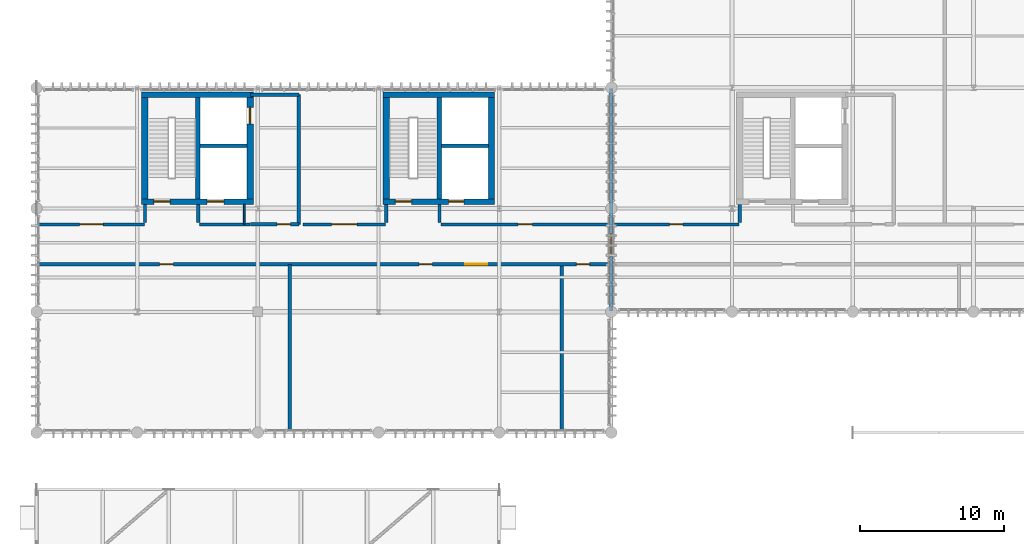
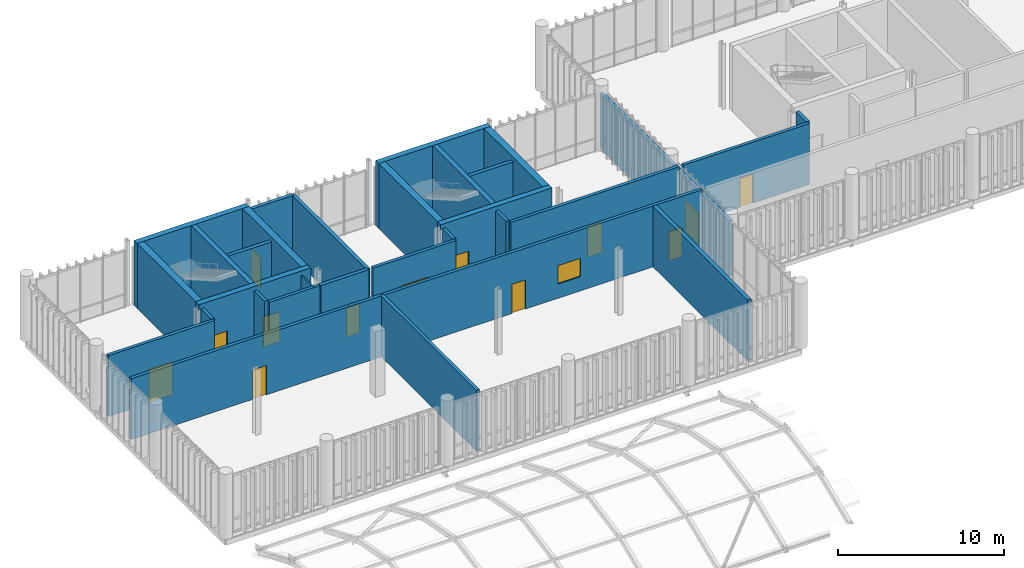
# One storey, part 78 of 94: 30 walls, 14 doors, 1 window, 15 openings.
"""IFC4 building model written with IfcOpenShell, lengths in metres."""

from ifc_helpers import new_model, si_unit, direction, frame, frame_2d, origin_with_axes, place, context, subcontext, project, spatial, rectangle, extrude, material, layer, layer_set, type_object, element, fill, save


model = new_model("IFC4")

# Units and contexts
model_context = context("Model", 3, precision=1e-05, world=origin_with_axes(), true_north=direction((0.0, 1.0)))
body_context = subcontext(model_context, "Body", "Model", "MODEL_VIEW")
ifc_project = project(units=[si_unit("LENGTHUNIT", "METRE"), si_unit("AREAUNIT", "SQUARE_METRE"), si_unit("VOLUMEUNIT", "CUBIC_METRE"), si_unit("PLANEANGLEUNIT", "RADIAN"), si_unit("MASSUNIT", "GRAM", prefix="KILO"), si_unit("THERMODYNAMICTEMPERATUREUNIT", "KELVIN")], contexts=[model_context])

# Site, building, storey
site_placement = place(None, origin_with_axes())
site = spatial("IfcSite", under=ifc_project, at=site_placement, CompositionType="ELEMENT")
building_placement = place(site_placement, origin_with_axes())
building = spatial("IfcBuilding", under=site, at=building_placement, Name="Montbau Bow Law Courts", CompositionType="ELEMENT")
storey_placement = place(building_placement, frame((0.0, 0.0, 15.6), z_axis=(0.0, 0.0, 1.0), x_axis=(1.0, 0.0, 0.0)))
storey = spatial("IfcBuildingStorey", under=building, at=storey_placement, Name="L03", CompositionType="ELEMENT", Elevation=15.6)

# Wall, opening, door
ifc_material_1 = material(Name="Concrete CSA A23.1 f'c 45 MPa", Category="concrete")
ifc_layer_1 = layer(ifc_material_1, 0.45, Name="Shear Wall", Category="concrete")
ifc_layer_set_1 = layer_set([ifc_layer_1], Name="Concrete CSA A23.1 f'c 45 MPa")
wall_type_1 = type_object("IfcWallType", Name="W-COR-02", PredefinedType="SHEAR", material=ifc_layer_set_1)
wall_1_placement = place(None, frame((21.66, 46.87, 15.6), z_axis=(0.0, 0.0, 1.0), x_axis=(0.0, 1.0, 0.0)))
wall_1 = element("IfcWall", 1, at=wall_1_placement, inside=storey, type_object=wall_type_1, Name="WC-L03-0039:wal_0106", PredefinedType="SHEAR", context=body_context, shape_type="SweptSolid", body=[
    extrude(rectangle(XDim=7.060000000000002, YDim=0.45, at=frame_2d((3.53, 0.0), x_axis=(1.0, 0.0))), origin_with_axes(), (0.0, 0.0, 1.0), 4.8),
])
opening_1_placement = place(None, frame((21.66, 52.66, 15.6), z_axis=(0.0, 0.0, 1.0), x_axis=(0.0, 1.0, 0.0)))
opening_1 = element("IfcOpeningElement", 2, at=opening_1_placement, cuts=wall_1, Name="OP-LD-L03-EL-P2", PredefinedType="OPENING", context=body_context, shape_type="SweptSolid", body=[
    extrude(rectangle(XDim=1.16, YDim=2.2, at=frame_2d((0.0, 1.1), x_axis=(1.0, 0.0))), frame((0.0, 0.235, 0.0), z_axis=(0.0, -1.0, 0.0), x_axis=(1.0, 0.0, 0.0)), (0.0, 0.0, 1.0), 0.47),
])
ifc_material_2 = material(Name="Brushed Stainless Steel Elevator Landing Door", Category="steel")
door_type_1 = type_object("IfcDoorType", Name="LD-PUB-01", OperationType="NOTDEFINED", ParameterTakesPrecedence=False, PredefinedType="DOOR", material=ifc_material_2)
door_1_placement = place(None, frame((21.66, 52.66, 15.6), z_axis=(0.0, 0.0, 1.0), x_axis=(0.0, 1.0, 0.0)))
door_1 = element("IfcDoor", 3, at=door_1_placement, inside=storey, type_object=door_type_1, Name="LD-L03-EL-P2:dor_0055", OperationType="SLIDING_TO_LEFT", OverallHeight=2.2, OverallWidth=1.16, PredefinedType="DOOR", context=body_context, shape_type="SweptSolid", body=[
    extrude(rectangle(XDim=1.16, YDim=2.2, at=frame_2d((0.0, 1.1), x_axis=(1.0, 0.0))), frame((0.0, 0.04, 0.0), z_axis=(0.0, -1.0, 0.0), x_axis=(1.0, 0.0, 0.0)), (0.0, 0.0, 1.0), 0.08),
])
fill(opening_1, door_1)

# Walls
for number, where, z_axis, x_axis, name in (
    (4, (14.34, 53.93, 15.6), (0.0, 0.0, 1.0), (0.0, -1.0, 0.0), "WC-L03-0040:wal_0107"),
    (5, (38.46, 46.87, 15.6), (0.0, 0.0, 1.0), (0.0, 1.0, 0.0), "WC-L03-0108:wal_0175"),
    (6, (31.14, 53.93, 15.6), (0.0, 0.0, 1.0), (0.0, -1.0, 0.0), "WC-L03-0109:wal_0176"),
):
    element("IfcWall", number, at=place(None, frame(where, z_axis=z_axis, x_axis=x_axis)), inside=storey, type_object=wall_type_1, Name=name, PredefinedType="SHEAR", context=body_context, shape_type="SweptSolid", body=[
        extrude(rectangle(XDim=7.060000000000002, YDim=0.45, at=frame_2d((3.53, 0.0), x_axis=(1.0, 0.0))), origin_with_axes(), (0.0, 0.0, 1.0), 4.8),
    ])

# Wall, openings, doors
ifc_layer_2 = layer(ifc_material_1, 0.38, Name="Shear Wall", Category="concrete")
ifc_layer_set_2 = layer_set([ifc_layer_2], Name="Concrete CSA A23.1 f'c 45 MPa")
wall_type_2 = type_object("IfcWallType", Name="W-COR-04", PredefinedType="SHEAR", material=ifc_layer_set_2)
wall_2_placement = place(None, frame((14.115, 46.68, 15.6), z_axis=(0.0, 0.0, 1.0), x_axis=(1.0, 0.0, 0.0)))
wall_2 = element("IfcWall", 7, at=wall_2_placement, inside=storey, type_object=wall_type_2, Name="WC-L03-0037:wal_0104", PredefinedType="SHEAR", context=body_context, shape_type="SweptSolid", body=[
    extrude(rectangle(XDim=7.770000000000001, YDim=0.38, at=frame_2d((3.885, 0.0), x_axis=(1.0, 0.0))), origin_with_axes(), (0.0, 0.0, 1.0), 4.8),
])
opening_2_placement = place(None, frame((15.535, 46.68, 15.6), z_axis=(0.0, 0.0, 1.0), x_axis=(1.0, 0.0, 0.0)))
opening_2 = element("IfcOpeningElement", 8, at=opening_2_placement, cuts=wall_2, Name="OP-D-L03-ST-P1", PredefinedType="OPENING", context=body_context, shape_type="SweptSolid", body=[
    extrude(rectangle(XDim=1.14, YDim=2.18, at=frame_2d((0.0, 1.09), x_axis=(1.0, 0.0))), frame((0.0, 0.2, 0.0), z_axis=(0.0, -1.0, 0.0), x_axis=(1.0, 0.0, 0.0)), (0.0, 0.0, 1.0), 0.4),
])
opening_3_placement = place(None, frame((19.25, 46.68, 15.6), z_axis=(0.0, 0.0, 1.0), x_axis=(1.0, 0.0, 0.0)))
opening_3 = element("IfcOpeningElement", 9, at=opening_3_placement, cuts=wall_2, Name="OP-LD-L03-EL-P1", PredefinedType="OPENING", context=body_context, shape_type="SweptSolid", body=[
    extrude(rectangle(XDim=1.16, YDim=2.2, at=frame_2d((0.0, 1.1), x_axis=(1.0, 0.0))), frame((0.0, 0.2, 0.0), z_axis=(0.0, -1.0, 0.0), x_axis=(1.0, 0.0, 0.0)), (0.0, 0.0, 1.0), 0.4),
])
ifc_material_3 = material(Name="1.5 h Fire-Rated Hollow-Metal Exit Stair Door", Category="steel")
door_type_2 = type_object("IfcDoorType", Name="D-ST-01", OperationType="NOTDEFINED", ParameterTakesPrecedence=False, PredefinedType="DOOR", material=ifc_material_3)
door_2_placement = place(None, frame((15.535, 46.68, 15.6), z_axis=(0.0, 0.0, 1.0), x_axis=(-1.0, 0.0, 0.0)))
door_2 = element("IfcDoor", 10, at=door_2_placement, inside=storey, type_object=door_type_2, Name="D-L03-ST-P1:dor_0053", OperationType="SINGLE_SWING_RIGHT", OverallHeight=2.18, OverallWidth=1.14, PredefinedType="DOOR", context=body_context, shape_type="SweptSolid", body=[
    extrude(rectangle(XDim=1.14, YDim=2.18, at=frame_2d((0.0, 1.09), x_axis=(1.0, 0.0))), frame((0.0, 0.04, 0.0), z_axis=(0.0, -1.0, 0.0), x_axis=(1.0, 0.0, 0.0)), (0.0, 0.0, 1.0), 0.08),
])
fill(opening_2, door_2)
door_3_placement = place(None, frame((19.25, 46.68, 15.6), z_axis=(0.0, 0.0, 1.0), x_axis=(-1.0, 0.0, 0.0)))
door_3 = element("IfcDoor", 11, at=door_3_placement, inside=storey, type_object=door_type_1, Name="LD-L03-EL-P1:dor_0054", OperationType="SLIDING_TO_LEFT", OverallHeight=2.2, OverallWidth=1.16, PredefinedType="DOOR", context=body_context, shape_type="SweptSolid", body=[
    extrude(rectangle(XDim=1.16, YDim=2.2, at=frame_2d((0.0, 1.1), x_axis=(1.0, 0.0))), frame((0.0, 0.04, 0.0), z_axis=(0.0, -1.0, 0.0), x_axis=(1.0, 0.0, 0.0)), (0.0, 0.0, 1.0), 0.08),
])
fill(opening_3, door_3)

# Wall
wall_3_placement = place(None, frame((21.885, 54.12, 15.6), z_axis=(0.0, 0.0, 1.0), x_axis=(-1.0, 0.0, 0.0)))
element("IfcWall", 12, at=wall_3_placement, inside=storey, type_object=wall_type_2, Name="WC-L03-0038:wal_0105", PredefinedType="SHEAR", context=body_context, shape_type="SweptSolid", body=[
    extrude(rectangle(XDim=7.770000000000001, YDim=0.38, at=frame_2d((3.885, 0.0), x_axis=(1.0, 0.0))), origin_with_axes(), (0.0, 0.0, 1.0), 4.8),
])

# Wall, openings, doors
wall_4_placement = place(None, frame((30.915, 46.68, 15.6), z_axis=(0.0, 0.0, 1.0), x_axis=(1.0, 0.0, 0.0)))
wall_4 = element("IfcWall", 13, at=wall_4_placement, inside=storey, type_object=wall_type_2, Name="WC-L03-0106:wal_0173", PredefinedType="SHEAR", context=body_context, shape_type="SweptSolid", body=[
    extrude(rectangle(XDim=7.770000000000003, YDim=0.38, at=frame_2d((3.885, 0.0), x_axis=(1.0, 0.0))), origin_with_axes(), (0.0, 0.0, 1.0), 4.8),
])
opening_4_placement = place(None, frame((32.335, 46.68, 15.6), z_axis=(0.0, 0.0, 1.0), x_axis=(1.0, 0.0, 0.0)))
opening_4 = element("IfcOpeningElement", 14, at=opening_4_placement, cuts=wall_4, Name="OP-D-L03-ST-J1", PredefinedType="OPENING", context=body_context, shape_type="SweptSolid", body=[
    extrude(rectangle(XDim=1.14, YDim=2.18, at=frame_2d((0.0, 1.09), x_axis=(1.0, 0.0))), frame((0.0, 0.2, 0.0), z_axis=(0.0, -1.0, 0.0), x_axis=(1.0, 0.0, 0.0)), (0.0, 0.0, 1.0), 0.4),
])
opening_5_placement = place(None, frame((36.0, 46.68, 15.6), z_axis=(0.0, 0.0, 1.0), x_axis=(1.0, 0.0, 0.0)))
opening_5 = element("IfcOpeningElement", 15, at=opening_5_placement, cuts=wall_4, Name="OP-LD-L03-EL-J1", PredefinedType="OPENING", context=body_context, shape_type="SweptSolid", body=[
    extrude(rectangle(XDim=1.06, YDim=2.16, at=frame_2d((0.0, 1.08), x_axis=(1.0, 0.0))), frame((0.0, 0.2, 0.0), z_axis=(0.0, -1.0, 0.0), x_axis=(1.0, 0.0, 0.0)), (0.0, 0.0, 1.0), 0.4),
])
door_4_placement = place(None, frame((32.335, 46.68, 15.6), z_axis=(0.0, 0.0, 1.0), x_axis=(-1.0, 0.0, 0.0)))
door_4 = element("IfcDoor", 16, at=door_4_placement, inside=storey, type_object=door_type_2, Name="D-L03-ST-J1:dor_0081", OperationType="SINGLE_SWING_LEFT", OverallHeight=2.18, OverallWidth=1.14, PredefinedType="DOOR", context=body_context, shape_type="SweptSolid", body=[
    extrude(rectangle(XDim=1.14, YDim=2.18, at=frame_2d((0.0, 1.09), x_axis=(1.0, 0.0))), frame((0.0, 0.04, 0.0), z_axis=(0.0, -1.0, 0.0), x_axis=(1.0, 0.0, 0.0)), (0.0, 0.0, 1.0), 0.08),
])
fill(opening_4, door_4)
ifc_material_4 = material(Name="Bronze-Clad Judicial Elevator Landing Door", Category="steel")
door_type_3 = type_object("IfcDoorType", Name="LD-JUD-01", OperationType="NOTDEFINED", ParameterTakesPrecedence=False, PredefinedType="DOOR", material=ifc_material_4)
door_5_placement = place(None, frame((36.0, 46.68, 15.6), z_axis=(0.0, 0.0, 1.0), x_axis=(-1.0, 0.0, 0.0)))
door_5 = element("IfcDoor", 17, at=door_5_placement, inside=storey, type_object=door_type_3, Name="LD-L03-EL-J1:dor_0082", OperationType="SLIDING_TO_LEFT", OverallHeight=2.16, OverallWidth=1.06, PredefinedType="DOOR", context=body_context, shape_type="SweptSolid", body=[
    extrude(rectangle(XDim=1.06, YDim=2.16, at=frame_2d((0.0, 1.08), x_axis=(1.0, 0.0))), frame((0.0, 0.04, 0.0), z_axis=(0.0, -1.0, 0.0), x_axis=(1.0, 0.0, 0.0)), (0.0, 0.0, 1.0), 0.08),
])
fill(opening_5, door_5)

# Walls
wall_5_placement = place(None, frame((38.685, 54.12, 15.6), z_axis=(0.0, 0.0, 1.0), x_axis=(-1.0, 0.0, 0.0)))
element("IfcWall", 18, at=wall_5_placement, inside=storey, type_object=wall_type_2, Name="WC-L03-0107:wal_0174", PredefinedType="SHEAR", context=body_context, shape_type="SweptSolid", body=[
    extrude(rectangle(XDim=7.770000000000003, YDim=0.38, at=frame_2d((3.885, 0.0), x_axis=(1.0, 0.0))), origin_with_axes(), (0.0, 0.0, 1.0), 4.8),
])
ifc_layer_3 = layer(ifc_material_1, 0.32, Name="Shear Wall", Category="concrete")
ifc_layer_set_3 = layer_set([ifc_layer_3], Name="Concrete CSA A23.1 f'c 45 MPa")
wall_type_3 = type_object("IfcWallType", Name="W-COR-05", PredefinedType="SHEAR", material=ifc_layer_set_3)
for number, where, z_axis, x_axis, name in (
    (19, (18.02, 46.87, 15.6), (0.0, 0.0, 1.0), (0.0, 1.0, 0.0), "WS-L03-0041:wal_0108"),
    (20, (34.82, 46.87, 15.6), (0.0, 0.0, 1.0), (0.0, 1.0, 0.0), "WS-L03-0110:wal_0177"),
):
    element("IfcWall", number, at=place(None, frame(where, z_axis=z_axis, x_axis=x_axis)), inside=storey, type_object=wall_type_3, Name=name, PredefinedType="SHEAR", context=body_context, shape_type="SweptSolid", body=[
        extrude(rectangle(XDim=7.060000000000002, YDim=0.32, at=frame_2d((3.53, 0.0), x_axis=(1.0, 0.0))), origin_with_axes(), (0.0, 0.0, 1.0), 4.8),
    ])
ifc_material_5 = material(Name="Double-Stud Acoustic Plumbing Chase Gypsum Assembly", Category="gypsum")
ifc_layer_4 = layer(ifc_material_5, 0.26, Name="Plumbing Wall", Category="gypsum")
ifc_layer_set_4 = layer_set([ifc_layer_4], Name="Double-Stud Acoustic Plumbing Chase Gypsum Assembly")
wall_type_4 = type_object("IfcWallType", Name="W-PLM-01", PredefinedType="PLUMBINGWALL", material=ifc_layer_set_4)
wall_6_placement = place(None, frame((43.34, 30.78, 15.6), z_axis=(0.0, 0.0, 1.0), x_axis=(0.0, 1.0, 0.0)))
element("IfcWall", 21, at=wall_6_placement, inside=storey, type_object=wall_type_4, Name="WD-L03-0782:wal_0849", PredefinedType="PLUMBINGWALL", context=body_context, shape_type="SweptSolid", body=[
    extrude(rectangle(XDim=11.43, YDim=0.26, at=frame_2d((5.715, 0.0), x_axis=(1.0, 0.0))), origin_with_axes(), (0.0, 0.0, 1.0), 4.48),
])
ifc_material_6 = material(Name="2 h Shaft and Exit-Passage Fire Separation Partition", Category="gypsum")
ifc_layer_5 = layer(ifc_material_6, 0.25, Name="Partition", Category="gypsum")
ifc_layer_set_5 = layer_set([ifc_layer_5], Name="2 h Shaft and Exit-Passage Fire Separation Partition")
wall_type_5 = type_object("IfcWallType", Name="W-PRT-01", PredefinedType="PARTITIONING", material=ifc_layer_set_5)
wall_7_placement = place(None, frame((18.18, 50.549, 15.6), z_axis=(0.0, 0.0, 1.0), x_axis=(1.0, 0.0, 0.0)))
element("IfcWall", 22, at=wall_7_placement, inside=storey, type_object=wall_type_5, Name="WS-L03-0042:wal_0109", PredefinedType="PARTITIONING", context=body_context, shape_type="SweptSolid", body=[
    extrude(rectangle(XDim=3.254999999999999, YDim=0.25, at=frame_2d((1.6275, 0.0), x_axis=(1.0, 0.0))), origin_with_axes(), (0.0, 0.0, 1.0), 4.48),
])
wall_8_placement = place(None, frame((25.06, 45.09, 15.6), z_axis=(0.0, 0.0, 1.0), x_axis=(0.0, 1.0, 0.0)))
element("IfcWall", 23, at=wall_8_placement, inside=storey, type_object=wall_type_5, Name="WEL-L03-0043:wal_0110", PredefinedType="PARTITIONING", context=body_context, shape_type="SweptSolid", body=[
    extrude(rectangle(XDim=9.029999999999994, YDim=0.25, at=frame_2d((4.515, 0.0), x_axis=(1.0, 0.0))), origin_with_axes(), (0.0, 0.0, 1.0), 4.48),
])
wall_9_placement = place(None, frame((21.7, 54.12, 15.6), z_axis=(0.0, 0.0, 1.0), x_axis=(1.0, 0.0, 0.0)))
element("IfcWall", 24, at=wall_9_placement, inside=storey, type_object=wall_type_5, Name="WEL-L03-0044:wal_0111", PredefinedType="PARTITIONING", context=body_context, shape_type="SweptSolid", body=[
    extrude(rectangle(XDim=3.3599999999999994, YDim=0.25, at=frame_2d((1.68, 0.0), x_axis=(1.0, 0.0))), origin_with_axes(), (0.0, 0.0, 1.0), 4.48),
])

# Wall, opening, door
wall_10_placement = place(None, frame((21.7, 45.09, 15.6), z_axis=(0.0, 0.0, 1.0), x_axis=(1.0, 0.0, 0.0)))
wall_10 = element("IfcWall", 25, at=wall_10_placement, inside=storey, type_object=wall_type_5, Name="WEL-L03-0045:wal_0112", PredefinedType="PARTITIONING", context=body_context, shape_type="SweptSolid", body=[
    extrude(rectangle(XDim=3.3599999999999994, YDim=0.25, at=frame_2d((1.68, 0.0), x_axis=(1.0, 0.0))), origin_with_axes(), (0.0, 0.0, 1.0), 4.48),
])
opening_6_placement = place(None, frame((24.005, 45.09, 15.6), z_axis=(0.0, 0.0, 1.0), x_axis=(1.0, 0.0, 0.0)))
opening_6 = element("IfcOpeningElement", 26, at=opening_6_placement, cuts=wall_10, Name="OP-D-L03-ELB-CORE-W1", PredefinedType="OPENING", context=body_context, shape_type="SweptSolid", body=[
    extrude(rectangle(XDim=0.91, YDim=2.12, at=frame_2d((0.0, 1.06), x_axis=(1.0, 0.0))), frame((0.0, 0.135, 0.0), z_axis=(0.0, -1.0, 0.0), x_axis=(1.0, 0.0, 0.0)), (0.0, 0.0, 1.0), 0.27),
])
ifc_material_7 = material(Name="Public and Judicial Washroom Solid-Core Door", Category="wood")
door_type_4 = type_object("IfcDoorType", Name="D-WC-02", OperationType="NOTDEFINED", ParameterTakesPrecedence=False, PredefinedType="DOOR", material=ifc_material_7)
door_6_placement = place(None, frame((24.005, 45.09, 15.6), z_axis=(0.0, 0.0, 1.0), x_axis=(1.0, 0.0, 0.0)))
door_6 = element("IfcDoor", 27, at=door_6_placement, inside=storey, type_object=door_type_4, Name="D-L03-ELB-CORE-W1:dor_0056", OperationType="SINGLE_SWING_LEFT", OverallHeight=2.12, OverallWidth=0.91, PredefinedType="DOOR", context=body_context, shape_type="SweptSolid", body=[
    extrude(rectangle(XDim=0.91, YDim=2.12, at=frame_2d((0.0, 1.06), x_axis=(1.0, 0.0))), frame((0.0, 0.04, 0.0), z_axis=(0.0, -1.0, 0.0), x_axis=(1.0, 0.0, 0.0)), (0.0, 0.0, 1.0), 0.08),
])
fill(opening_6, door_6)

# Wall
wall_11_placement = place(None, frame((34.98, 50.549, 15.6), z_axis=(0.0, 0.0, 1.0), x_axis=(1.0, 0.0, 0.0)))
element("IfcWall", 28, at=wall_11_placement, inside=storey, type_object=wall_type_5, Name="WS-L03-0111:wal_0178", PredefinedType="PARTITIONING", context=body_context, shape_type="SweptSolid", body=[
    extrude(rectangle(XDim=3.2550000000000026, YDim=0.25, at=frame_2d((1.6275, 0.0), x_axis=(1.0, 0.0))), origin_with_axes(), (0.0, 0.0, 1.0), 4.48),
])

# Wall, opening, door
wall_12_placement = place(None, frame((46.8, 39.05, 15.6), z_axis=(0.0, 0.0, 1.0), x_axis=(0.0, 1.0, 0.0)))
wall_12 = element("IfcWall", 29, at=wall_12_placement, inside=storey, type_object=wall_type_5, Name="WLK-L03-0560:wal_0627", PredefinedType="PARTITIONING", context=body_context, shape_type="SweptSolid", body=[
    extrude(rectangle(XDim=15.5, YDim=0.25, at=frame_2d((7.75, 0.0), x_axis=(1.0, 0.0))), origin_with_axes(), (0.0, 0.0, 1.0), 4.084),
])
opening_7_placement = place(None, frame((46.8, 43.65, 15.6), z_axis=(0.0, 0.0, 1.0), x_axis=(0.0, 1.0, 0.0)))
opening_7 = element("IfcOpeningElement", 30, at=opening_7_placement, cuts=wall_12, Name="OP-D-LNK-209", PredefinedType="OPENING", context=body_context, shape_type="SweptSolid", body=[
    extrude(rectangle(XDim=1.6, YDim=2.32, at=frame_2d((0.0, 1.16), x_axis=(1.0, 0.0))), frame((0.0, 0.135, 0.0), z_axis=(0.0, -1.0, 0.0), x_axis=(1.0, 0.0, 0.0)), (0.0, 0.0, 1.0), 0.27),
])
ifc_material_8 = material(Name="Jury Assembly Lounge Glazed Oak Double Door", Category="wood")
door_type_5 = type_object("IfcDoorType", Name="D-JUR-02", OperationType="NOTDEFINED", ParameterTakesPrecedence=False, PredefinedType="DOOR", material=ifc_material_8)
door_7_placement = place(None, frame((46.8, 43.65, 15.6), z_axis=(0.0, 0.0, 1.0), x_axis=(0.0, 1.0, 0.0)))
door_7 = element("IfcDoor", 31, at=door_7_placement, inside=storey, type_object=door_type_5, Name="D-LNK-209:dor_0243", OperationType="DOUBLE_DOOR_SINGLE_SWING", OverallHeight=2.32, OverallWidth=1.6, PredefinedType="DOOR", context=body_context, shape_type="SweptSolid", body=[
    extrude(rectangle(XDim=1.6, YDim=2.32, at=frame_2d((0.0, 1.16), x_axis=(1.0, 0.0))), frame((0.0, 0.04, 0.0), z_axis=(0.0, -1.0, 0.0), x_axis=(1.0, 0.0, 0.0)), (0.0, 0.0, 1.0), 0.08),
])
fill(opening_7, door_7)

# Walls
ifc_material_9 = material(Name="STC-60 High-Acoustic Courtroom Perimeter Partition", Category="gypsum")
ifc_layer_6 = layer(ifc_material_9, 0.22, Name="Partition", Category="gypsum")
ifc_layer_set_6 = layer_set([ifc_layer_6], Name="STC-60 High-Acoustic Courtroom Perimeter Partition")
wall_type_6 = type_object("IfcWallType", Name="W-PRT-02", PredefinedType="PARTITIONING", material=ifc_layer_set_6)
for number, where, z_axis, x_axis, name in (
    (32, (14.34, 45.22, 15.6), (0.0, 0.0, 1.0), (0.0, 1.0, 0.0), "WCX-L03-0773:wal_0840"),
    (33, (18.05, 45.22, 15.6), (0.0, 0.0, 1.0), (0.0, 1.0, 0.0), "WCX-L03-0774:wal_0841"),
    (34, (31.14, 45.22, 15.6), (0.0, 0.0, 1.0), (0.0, 1.0, 0.0), "WCX-L03-0775:wal_0842"),
    (35, (34.85, 45.22, 15.6), (0.0, 0.0, 1.0), (0.0, 1.0, 0.0), "WCX-L03-0776:wal_0843"),
):
    element("IfcWall", number, at=place(None, frame(where, z_axis=z_axis, x_axis=x_axis)), inside=storey, type_object=wall_type_6, Name=name, PredefinedType="PARTITIONING", context=body_context, shape_type="SweptSolid", body=[
        extrude(rectangle(XDim=1.259999999999998, YDim=0.22, at=frame_2d((0.63, 0.0), x_axis=(1.0, 0.0))), origin_with_axes(), (0.0, 0.0, 1.0), 4.48),
    ])

# Wall, opening, door
wall_13_placement = place(None, frame((6.94, 45.09, 15.6), z_axis=(0.0, 0.0, 1.0), x_axis=(1.0, 0.0, 0.0)))
wall_13 = element("IfcWall", 36, at=wall_13_placement, inside=storey, type_object=wall_type_6, Name="WP-L03-0777:wal_0844", PredefinedType="PARTITIONING", context=body_context, shape_type="SweptSolid", body=[
    extrude(rectangle(XDim=7.36, YDim=0.22, at=frame_2d((3.68, 0.0), x_axis=(1.0, 0.0))), origin_with_axes(), (0.0, 0.0, 1.0), 4.48),
])
opening_8_placement = place(None, frame((10.62, 45.09, 15.6), z_axis=(0.0, 0.0, 1.0), x_axis=(1.0, 0.0, 0.0)))
opening_8 = element("IfcOpeningElement", 37, at=opening_8_placement, cuts=wall_13, Name="OP-D-L03-321", PredefinedType="OPENING", context=body_context, shape_type="SweptSolid", body=[
    extrude(rectangle(XDim=1.64, YDim=2.42, at=frame_2d((0.0, 1.21), x_axis=(1.0, 0.0))), frame((0.0, 0.12, 0.0), z_axis=(0.0, -1.0, 0.0), x_axis=(1.0, 0.0, 0.0)), (0.0, 0.0, 1.0), 0.24),
])
ifc_material_10 = material(Name="Acoustic White-Oak Civil and Family Hearing Double Door", Category="wood")
door_type_6 = type_object("IfcDoorType", Name="D-CRT-04", OperationType="NOTDEFINED", ParameterTakesPrecedence=False, PredefinedType="DOOR", material=ifc_material_10)
door_8_placement = place(None, frame((10.62, 45.09, 15.6), z_axis=(0.0, 0.0, 1.0), x_axis=(-1.0, 0.0, 0.0)))
door_8 = element("IfcDoor", 38, at=door_8_placement, inside=storey, type_object=door_type_6, Name="D-L03-321:dor_0356", OperationType="DOUBLE_DOOR_SINGLE_SWING", OverallHeight=2.42, OverallWidth=1.64, PredefinedType="DOOR", context=body_context, shape_type="SweptSolid", body=[
    extrude(rectangle(XDim=1.64, YDim=2.42, at=frame_2d((0.0, 1.21), x_axis=(1.0, 0.0))), frame((0.0, 0.04, 0.0), z_axis=(0.0, -1.0, 0.0), x_axis=(1.0, 0.0, 0.0)), (0.0, 0.0, 1.0), 0.08),
])
fill(opening_8, door_8)

# Wall
wall_14_placement = place(None, frame((18.15, 45.09, 15.6), z_axis=(0.0, 0.0, 1.0), x_axis=(1.0, 0.0, 0.0)))
element("IfcWall", 39, at=wall_14_placement, inside=storey, type_object=wall_type_6, Name="WP-L03-0778:wal_0845", PredefinedType="PARTITIONING", context=body_context, shape_type="SweptSolid", body=[
    extrude(rectangle(XDim=3.5100000000000016, YDim=0.22, at=frame_2d((1.755, 0.0), x_axis=(1.0, 0.0))), origin_with_axes(), (0.0, 0.0, 1.0), 4.48),
])

# Wall, opening, door
wall_15_placement = place(None, frame((25.355, 45.09, 15.6), z_axis=(0.0, 0.0, 1.0), x_axis=(1.0, 0.0, 0.0)))
wall_15 = element("IfcWall", 40, at=wall_15_placement, inside=storey, type_object=wall_type_6, Name="WP-L03-0779:wal_0846", PredefinedType="PARTITIONING", context=body_context, shape_type="SweptSolid", body=[
    extrude(rectangle(XDim=5.745000000000001, YDim=0.22, at=frame_2d((2.8725, 0.0), x_axis=(1.0, 0.0))), origin_with_axes(), (0.0, 0.0, 1.0), 4.48),
])
opening_9_placement = place(None, frame((28.227, 45.09, 15.6), z_axis=(0.0, 0.0, 1.0), x_axis=(1.0, 0.0, 0.0)))
opening_9 = element("IfcOpeningElement", 41, at=opening_9_placement, cuts=wall_15, Name="OP-D-L03-322", PredefinedType="OPENING", context=body_context, shape_type="SweptSolid", body=[
    extrude(rectangle(XDim=1.78, YDim=2.48, at=frame_2d((0.0, 1.24), x_axis=(1.0, 0.0))), frame((0.0, 0.12, 0.0), z_axis=(0.0, -1.0, 0.0), x_axis=(1.0, 0.0, 0.0)), (0.0, 0.0, 1.0), 0.24),
])
ifc_material_11 = material(Name="Acoustic White-Oak Appellate Courtroom Double Door", Category="wood")
door_type_7 = type_object("IfcDoorType", Name="D-CRT-03", OperationType="NOTDEFINED", ParameterTakesPrecedence=False, PredefinedType="DOOR", material=ifc_material_11)
door_9_placement = place(None, frame((28.227, 45.09, 15.6), z_axis=(0.0, 0.0, 1.0), x_axis=(-1.0, 0.0, 0.0)))
door_9 = element("IfcDoor", 42, at=door_9_placement, inside=storey, type_object=door_type_7, Name="D-L03-322:dor_0357", OperationType="DOUBLE_DOOR_SINGLE_SWING", OverallHeight=2.48, OverallWidth=1.78, PredefinedType="DOOR", context=body_context, shape_type="SweptSolid", body=[
    extrude(rectangle(XDim=1.78, YDim=2.48, at=frame_2d((0.0, 1.24), x_axis=(1.0, 0.0))), frame((0.0, 0.04, 0.0), z_axis=(0.0, -1.0, 0.0), x_axis=(1.0, 0.0, 0.0)), (0.0, 0.0, 1.0), 0.08),
])
fill(opening_9, door_9)

wall_16_placement = place(None, frame((34.95, 45.09, 15.6), z_axis=(0.0, 0.0, 1.0), x_axis=(1.0, 0.0, 0.0)))
wall_16 = element("IfcWall", 43, at=wall_16_placement, inside=storey, type_object=wall_type_6, Name="WP-L03-0780:wal_0847", PredefinedType="PARTITIONING", context=body_context, shape_type="SweptSolid", body=[
    extrude(rectangle(XDim=11.709999999999994, YDim=0.22, at=frame_2d((5.855, 0.0), x_axis=(1.0, 0.0))), origin_with_axes(), (0.0, 0.0, 1.0), 4.48),
])
opening_10_placement = place(None, frame((40.805, 45.09, 15.6), z_axis=(0.0, 0.0, 1.0), x_axis=(1.0, 0.0, 0.0)))
opening_10 = element("IfcOpeningElement", 44, at=opening_10_placement, cuts=wall_16, Name="OP-D-L03-323", PredefinedType="OPENING", context=body_context, shape_type="SweptSolid", body=[
    extrude(rectangle(XDim=0.99, YDim=2.22, at=frame_2d((0.0, 1.11), x_axis=(1.0, 0.0))), frame((0.0, 0.12, 0.0), z_axis=(0.0, -1.0, 0.0), x_axis=(1.0, 0.0, 0.0)), (0.0, 0.0, 1.0), 0.24),
])
ifc_material_12 = material(Name="STC-52 Jury Deliberation Suite Solid-Core Oak Door", Category="wood")
door_type_8 = type_object("IfcDoorType", Name="D-JUR-01", OperationType="NOTDEFINED", ParameterTakesPrecedence=False, PredefinedType="DOOR", material=ifc_material_12)
door_10_placement = place(None, frame((40.805, 45.09, 15.6), z_axis=(0.0, 0.0, 1.0), x_axis=(-1.0, 0.0, 0.0)))
door_10 = element("IfcDoor", 45, at=door_10_placement, inside=storey, type_object=door_type_8, Name="D-L03-323:dor_0358", OperationType="SINGLE_SWING_LEFT", OverallHeight=2.22, OverallWidth=0.99, PredefinedType="DOOR", context=body_context, shape_type="SweptSolid", body=[
    extrude(rectangle(XDim=0.99, YDim=2.22, at=frame_2d((0.0, 1.11), x_axis=(1.0, 0.0))), frame((0.0, 0.04, 0.0), z_axis=(0.0, -1.0, 0.0), x_axis=(1.0, 0.0, 0.0)), (0.0, 0.0, 1.0), 0.08),
])
fill(opening_10, door_10)

# Wall, openings, doors, window
wall_17_placement = place(None, frame((6.94, 42.31, 15.6), z_axis=(0.0, 0.0, 1.0), x_axis=(1.0, 0.0, 0.0)))
wall_17 = element("IfcWall", 46, at=wall_17_placement, inside=storey, type_object=wall_type_6, Name="WP-L03-0781:wal_0848", PredefinedType="PARTITIONING", context=body_context, shape_type="SweptSolid", body=[
    extrude(rectangle(XDim=39.704, YDim=0.22, at=frame_2d((19.852, 0.0), x_axis=(1.0, 0.0))), origin_with_axes(), (0.0, 0.0, 1.0), 4.48),
])
opening_11_placement = place(None, frame((15.845, 42.31, 15.6), z_axis=(0.0, 0.0, 1.0), x_axis=(1.0, 0.0, 0.0)))
opening_11 = element("IfcOpeningElement", 47, at=opening_11_placement, cuts=wall_17, Name="OP-D-L03-324", PredefinedType="OPENING", context=body_context, shape_type="SweptSolid", body=[
    extrude(rectangle(XDim=0.95, YDim=2.16, at=frame_2d((0.0, 1.08), x_axis=(1.0, 0.0))), frame((0.0, 0.12, 0.0), z_axis=(0.0, -1.0, 0.0), x_axis=(1.0, 0.0, 0.0)), (0.0, 0.0, 1.0), 0.24),
])
opening_12_placement = place(None, frame((33.883, 42.31, 15.6), z_axis=(0.0, 0.0, 1.0), x_axis=(1.0, 0.0, 0.0)))
opening_12 = element("IfcOpeningElement", 48, at=opening_12_placement, cuts=wall_17, Name="OP-D-L03-325", PredefinedType="OPENING", context=body_context, shape_type="SweptSolid", body=[
    extrude(rectangle(XDim=0.92, YDim=2.14, at=frame_2d((0.0, 1.07), x_axis=(1.0, 0.0))), frame((0.0, 0.12, 0.0), z_axis=(0.0, -1.0, 0.0), x_axis=(1.0, 0.0, 0.0)), (0.0, 0.0, 1.0), 0.24),
])
opening_13_placement = place(None, frame((44.83, 42.31, 15.6), z_axis=(0.0, 0.0, 1.0), x_axis=(1.0, 0.0, 0.0)))
opening_13 = element("IfcOpeningElement", 49, at=opening_13_placement, cuts=wall_17, Name="OP-D-L03-326", PredefinedType="OPENING", context=body_context, shape_type="SweptSolid", body=[
    extrude(rectangle(XDim=0.91, YDim=2.12, at=frame_2d((0.0, 1.06), x_axis=(1.0, 0.0))), frame((0.0, 0.12, 0.0), z_axis=(0.0, -1.0, 0.0), x_axis=(1.0, 0.0, 0.0)), (0.0, 0.0, 1.0), 0.24),
])
opening_14_placement = place(None, frame((37.398, 42.31, 16.65), z_axis=(0.0, 0.0, 1.0), x_axis=(1.0, 0.0, 0.0)))
opening_14 = element("IfcOpeningElement", 50, at=opening_14_placement, cuts=wall_17, Name="OP-WI-L03-14", PredefinedType="OPENING", context=body_context, shape_type="SweptSolid", body=[
    extrude(rectangle(XDim=1.55, YDim=1.35, at=frame_2d((0.0, 0.675), x_axis=(1.0, 0.0))), frame((0.0, 0.12, 0.0), z_axis=(0.0, -1.0, 0.0), x_axis=(1.0, 0.0, 0.0)), (0.0, 0.0, 1.0), 0.24),
])
ifc_material_13 = material(Name="Mediation and Witness Waiting Acoustic Oak Door", Category="wood")
door_type_9 = type_object("IfcDoorType", Name="D-MED-01", OperationType="NOTDEFINED", ParameterTakesPrecedence=False, PredefinedType="DOOR", material=ifc_material_13)
door_11_placement = place(None, frame((15.845, 42.31, 15.6), z_axis=(0.0, 0.0, 1.0), x_axis=(1.0, 0.0, 0.0)))
door_11 = element("IfcDoor", 51, at=door_11_placement, inside=storey, type_object=door_type_9, Name="D-L03-324:dor_0359", OperationType="SINGLE_SWING_RIGHT", OverallHeight=2.16, OverallWidth=0.95, PredefinedType="DOOR", context=body_context, shape_type="SweptSolid", body=[
    extrude(rectangle(XDim=0.95, YDim=2.16, at=frame_2d((0.0, 1.08), x_axis=(1.0, 0.0))), frame((0.0, 0.04, 0.0), z_axis=(0.0, -1.0, 0.0), x_axis=(1.0, 0.0, 0.0)), (0.0, 0.0, 1.0), 0.08),
])
fill(opening_11, door_11)
ifc_material_14 = material(Name="Judicial Law Clerk and Registry Office Oak Door", Category="wood")
door_type_10 = type_object("IfcDoorType", Name="D-OFF-01", OperationType="NOTDEFINED", ParameterTakesPrecedence=False, PredefinedType="DOOR", material=ifc_material_14)
door_12_placement = place(None, frame((33.883, 42.31, 15.6), z_axis=(0.0, 0.0, 1.0), x_axis=(1.0, 0.0, 0.0)))
door_12 = element("IfcDoor", 52, at=door_12_placement, inside=storey, type_object=door_type_10, Name="D-L03-325:dor_0360", OperationType="SINGLE_SWING_LEFT", OverallHeight=2.14, OverallWidth=0.92, PredefinedType="DOOR", context=body_context, shape_type="SweptSolid", body=[
    extrude(rectangle(XDim=0.92, YDim=2.14, at=frame_2d((0.0, 1.07), x_axis=(1.0, 0.0))), frame((0.0, 0.04, 0.0), z_axis=(0.0, -1.0, 0.0), x_axis=(1.0, 0.0, 0.0)), (0.0, 0.0, 1.0), 0.08),
])
fill(opening_12, door_12)
door_13_placement = place(None, frame((44.83, 42.31, 15.6), z_axis=(0.0, 0.0, 1.0), x_axis=(1.0, 0.0, 0.0)))
door_13 = element("IfcDoor", 53, at=door_13_placement, inside=storey, type_object=door_type_4, Name="D-L03-326:dor_0361", OperationType="SINGLE_SWING_RIGHT", OverallHeight=2.12, OverallWidth=0.91, PredefinedType="DOOR", context=body_context, shape_type="SweptSolid", body=[
    extrude(rectangle(XDim=0.91, YDim=2.12, at=frame_2d((0.0, 1.06), x_axis=(1.0, 0.0))), frame((0.0, 0.04, 0.0), z_axis=(0.0, -1.0, 0.0), x_axis=(1.0, 0.0, 0.0)), (0.0, 0.0, 1.0), 0.08),
])
fill(opening_13, door_13)
ifc_material_15 = material(Name="Registry Counter Security Pass-Through Glazing", Category="glass")
window_type = type_object("IfcWindowType", Name="WN-INT-02", ParameterTakesPrecedence=False, PartitioningType="SINGLE_PANEL", PredefinedType="WINDOW", material=ifc_material_15)
window_placement = place(None, frame((37.398, 42.31, 16.65), z_axis=(0.0, 0.0, 1.0), x_axis=(1.0, 0.0, 0.0)))
window = element("IfcWindow", 54, at=window_placement, inside=storey, type_object=window_type, Name="WI-L03-14:win_0136", OverallHeight=1.35, OverallWidth=1.55, PartitioningType="SINGLE_PANEL", PredefinedType="WINDOW", context=body_context, shape_type="SweptSolid", body=[
    extrude(rectangle(XDim=1.55, YDim=1.35, at=frame_2d((0.0, 0.675), x_axis=(1.0, 0.0))), frame((0.0, 0.03, 0.0), z_axis=(0.0, -1.0, 0.0), x_axis=(1.0, 0.0, 0.0)), (0.0, 0.0, 1.0), 0.06),
])
fill(opening_14, window)

# Walls
wall_18_placement = place(None, frame((24.426, 30.74, 15.6), z_axis=(0.0, 0.0, 1.0), x_axis=(0.0, 1.0, 0.0)))
element("IfcWall", 55, at=wall_18_placement, inside=storey, type_object=wall_type_6, Name="WD-L03-0784:wal_0851", PredefinedType="PARTITIONING", context=body_context, shape_type="SweptSolid", body=[
    extrude(rectangle(XDim=11.570000000000004, YDim=0.22, at=frame_2d((5.785, 0.0), x_axis=(1.0, 0.0))), origin_with_axes(), (0.0, 0.0, 1.0), 4.48),
])
wall_19_placement = place(None, frame((55.74, 45.22, 15.6), z_axis=(0.0, 0.0, 1.0), x_axis=(0.0, 1.0, 0.0)))
element("IfcWall", 56, at=wall_19_placement, inside=storey, type_object=wall_type_6, Name="WCX-L03-0785:wal_0852", PredefinedType="PARTITIONING", context=body_context, shape_type="SweptSolid", body=[
    extrude(rectangle(XDim=1.259999999999998, YDim=0.22, at=frame_2d((0.63, 0.0), x_axis=(1.0, 0.0))), origin_with_axes(), (0.0, 0.0, 1.0), 4.48),
])

# Wall, opening, door
wall_20_placement = place(None, frame((46.94, 45.09, 15.6), z_axis=(0.0, 0.0, 1.0), x_axis=(1.0, 0.0, 0.0)))
wall_20 = element("IfcWall", 57, at=wall_20_placement, inside=storey, type_object=wall_type_6, Name="WP-L03-0789:wal_0856", PredefinedType="PARTITIONING", context=body_context, shape_type="SweptSolid", body=[
    extrude(rectangle(XDim=8.760000000000005, YDim=0.22, at=frame_2d((4.38, 0.0), x_axis=(1.0, 0.0))), origin_with_axes(), (0.0, 0.0, 1.0), 4.48),
])
opening_15_placement = place(None, frame((51.32, 45.09, 15.6), z_axis=(0.0, 0.0, 1.0), x_axis=(1.0, 0.0, 0.0)))
opening_15 = element("IfcOpeningElement", 58, at=opening_15_placement, cuts=wall_20, Name="OP-D-L03-327", PredefinedType="OPENING", context=body_context, shape_type="SweptSolid", body=[
    extrude(rectangle(XDim=0.92, YDim=2.14, at=frame_2d((0.0, 1.07), x_axis=(1.0, 0.0))), frame((0.0, 0.12, 0.0), z_axis=(0.0, -1.0, 0.0), x_axis=(1.0, 0.0, 0.0)), (0.0, 0.0, 1.0), 0.24),
])
door_14_placement = place(None, frame((51.32, 45.09, 15.6), z_axis=(0.0, 0.0, 1.0), x_axis=(-1.0, 0.0, 0.0)))
door_14 = element("IfcDoor", 59, at=door_14_placement, inside=storey, type_object=door_type_10, Name="D-L03-327:dor_0362", OperationType="SINGLE_SWING_LEFT", OverallHeight=2.14, OverallWidth=0.92, PredefinedType="DOOR", context=body_context, shape_type="SweptSolid", body=[
    extrude(rectangle(XDim=0.92, YDim=2.14, at=frame_2d((0.0, 1.07), x_axis=(1.0, 0.0))), frame((0.0, 0.04, 0.0), z_axis=(0.0, -1.0, 0.0), x_axis=(1.0, 0.0, 0.0)), (0.0, 0.0, 1.0), 0.08),
])
fill(opening_15, door_14)

# Wall
ifc_material_16 = material(Name="1 h Interior Demising Acoustic Stud Partition", Category="gypsum")
ifc_layer_7 = layer(ifc_material_16, 0.12, Name="Partition", Category="gypsum")
ifc_layer_set_7 = layer_set([ifc_layer_7], Name="1 h Interior Demising Acoustic Stud Partition")
wall_type_7 = type_object("IfcWallType", Name="W-PRT-07", PredefinedType="PARTITIONING", material=ifc_layer_set_7)
wall_21_placement = place(None, frame((21.262, 45.09, 15.6), z_axis=(0.0, 0.0, 1.0), x_axis=(0.0, 1.0, 0.0)))
element("IfcWall", 60, at=wall_21_placement, inside=storey, type_object=wall_type_7, Name="WD-L03-0783:wal_0850", PredefinedType="PARTITIONING", context=body_context, shape_type="SweptSolid", body=[
    extrude(rectangle(XDim=1.4099999999999966, YDim=0.12, at=frame_2d((0.705, 0.0), x_axis=(1.0, 0.0))), origin_with_axes(), (0.0, 0.0, 1.0), 4.48),
])

save(model, "model.ifc")
